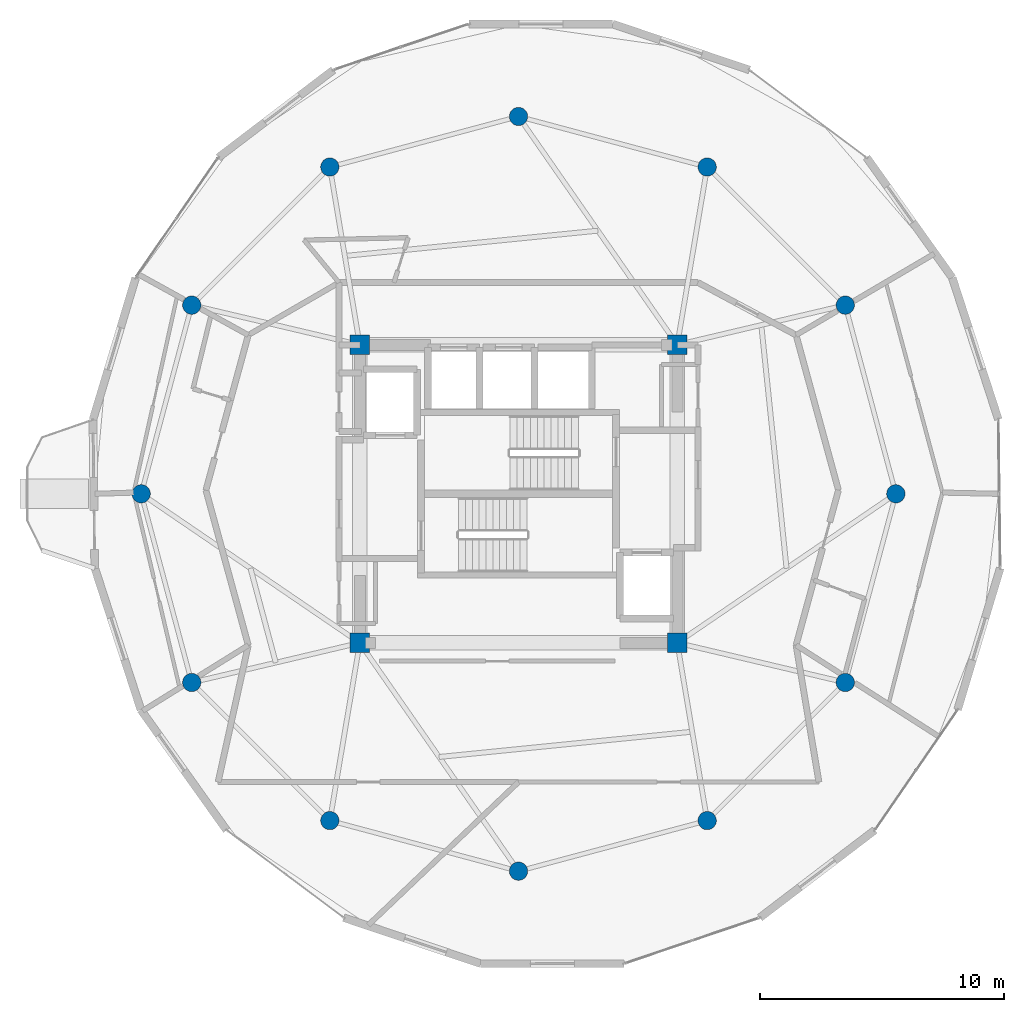
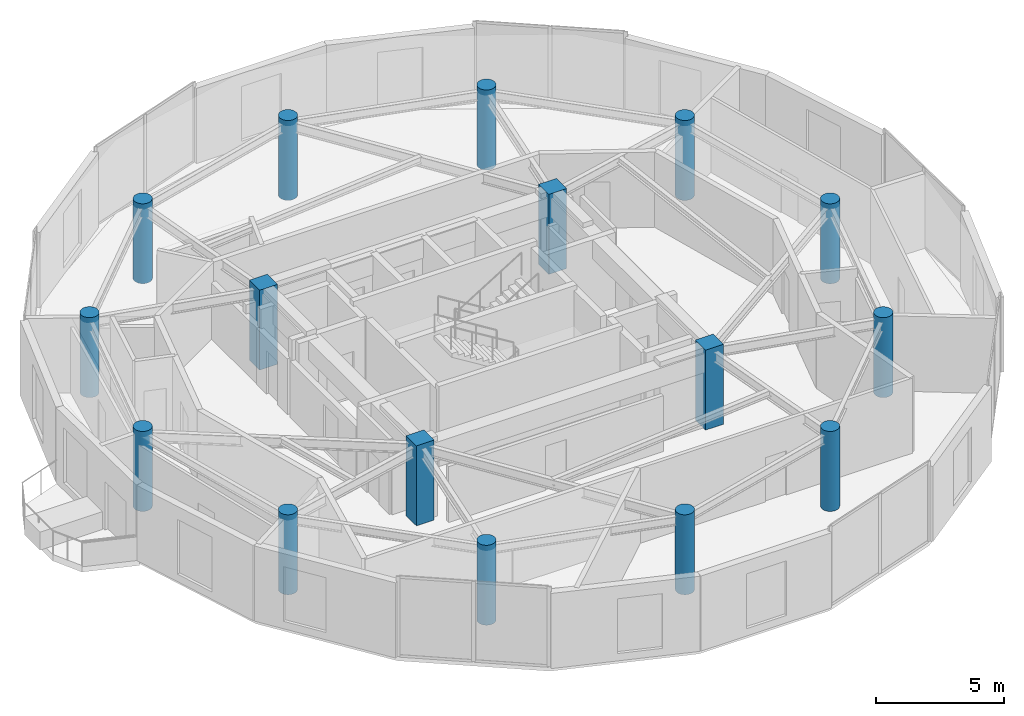
# One storey, part 1 of 18: 16 columns.
"""IFC4 building model written with IfcOpenShell, lengths in metres."""

from ifc_helpers import new_model, si_unit, direction, frame, origin, origin_2d, place, context, subcontext, project, spatial, rectangle, circle, extrude, material, material_profile, profile_set, type_object, element, save


model = new_model("IFC4")

# Units and contexts
model_context = context("Model", 3, precision=1e-05, world=origin(), true_north=direction((0.0, 1.0)))
body_context = subcontext(model_context, "Body", "Model", "MODEL_VIEW")
ifc_project = project(units=[si_unit("LENGTHUNIT", "METRE"), si_unit("AREAUNIT", "SQUARE_METRE"), si_unit("VOLUMEUNIT", "CUBIC_METRE"), si_unit("PLANEANGLEUNIT", "RADIAN"), si_unit("MASSUNIT", "GRAM", prefix="KILO")], contexts=[model_context])

# Site, building, storey
site_placement = place(None, origin())
site = spatial("IfcSite", under=ifc_project, at=site_placement, CompositionType="ELEMENT")
building_placement = place(site_placement, origin())
building = spatial("IfcBuilding", under=site, at=building_placement, Name="Solvirekh Grand Hotel", CompositionType="ELEMENT")
storey_placement = place(building_placement, frame((0.0, 0.0, 250.60009765625)))
storey = spatial("IfcBuildingStorey", under=building, at=storey_placement, Name="L65", CompositionType="ELEMENT", Elevation=250.60009765625)

# Columns
ifc_material = material(Name="Concrete C50/60", Category="concrete")
ifc_material_profile_1 = material_profile(ifc_material, rectangle(XDim=0.800048828125, YDim=0.800048828125, at=origin_2d()), Name="RC 800X800")
ifc_profile_set_1 = profile_set([ifc_material_profile_1], Name="Concrete C50/60")
column_type_1 = type_object("IfcColumnType", Name="Col_Core_800", PredefinedType="COLUMN", material=ifc_profile_set_1)
for number, where, z_axis, x_axis, name in (
    (1, (-6.5, -6.10009765625, 0.0), (0.0, 0.0, 1.0), (1.0, 0.0, 0.0), "L65 core corner column CC1"),
    (2, (6.5, -6.10009765625, 0.0), (0.0, 0.0, 1.0), (1.0, 0.0, 0.0), "L65 core corner column CC2"),
    (3, (6.5, 6.10009765625, 0.0), (0.0, 0.0, 1.0), (1.0, 0.0, 0.0), "L65 core corner column CC3"),
    (4, (-6.5, 6.10009765625, 0.0), (0.0, 0.0, 1.0), (1.0, 0.0, 0.0), "L65 core corner column CC4"),
):
    element("IfcColumn", number, at=place(storey_placement, frame(where, z_axis=z_axis, x_axis=x_axis)), inside=storey, type_object=column_type_1, Name=name, PredefinedType="COLUMN", context=body_context, shape_type="SweptSolid", body=[
        extrude(rectangle(XDim=0.800048828125, YDim=0.800048828125, at=origin_2d()), origin(), (0.0, 0.0, 1.0), 3.7998046875),
    ])
ifc_material_profile_2 = material_profile(ifc_material, circle(Radius=0.375, at=origin_2d()), Name="RC CIRC D750")
ifc_profile_set_2 = profile_set([ifc_material_profile_2], Name="Concrete C50/60")
column_type_2 = type_object("IfcColumnType", Name="Col_Z4_D750", PredefinedType="COLUMN", material=ifc_profile_set_2)
for number, where, z_axis, x_axis, name in (
    (5, (15.449951171875, 0.0, 0.0), (0.0, 0.0, 1.0), (1.0, 0.0, 0.0), "L65 perimeter column P01"),
    (6, (13.3798828125, 7.72509765625, 0.0), (0.0, 0.0, 1.0), (1.0, 0.0, 0.0), "L65 perimeter column P02"),
    (7, (7.72509765625, 13.3798828125, 0.0), (0.0, 0.0, 1.0), (1.0, 0.0, 0.0), "L65 perimeter column P03"),
    (8, (0.0, 15.449951171875, 0.0), (0.0, 0.0, 1.0), (1.0, 0.0, 0.0), "L65 perimeter column P04"),
    (9, (-7.72509765625, 13.3798828125, 0.0), (0.0, 0.0, 1.0), (1.0, 0.0, 0.0), "L65 perimeter column P05"),
    (10, (-13.3798828125, 7.72509765625, 0.0), (0.0, 0.0, 1.0), (1.0, 0.0, 0.0), "L65 perimeter column P06"),
    (11, (-15.449951171875, 0.0, 0.0), (0.0, 0.0, 1.0), (1.0, 0.0, 0.0), "L65 perimeter column P07"),
    (12, (-13.3798828125, -7.72509765625, 0.0), (0.0, 0.0, 1.0), (1.0, 0.0, 0.0), "L65 perimeter column P08"),
    (13, (-7.72509765625, -13.3798828125, 0.0), (0.0, 0.0, 1.0), (1.0, 0.0, 0.0), "L65 perimeter column P09"),
    (14, (0.0, -15.449951171875, 0.0), (0.0, 0.0, 1.0), (1.0, 0.0, 0.0), "L65 perimeter column P10"),
    (15, (7.72509765625, -13.3798828125, 0.0), (0.0, 0.0, 1.0), (1.0, 0.0, 0.0), "L65 perimeter column P11"),
    (16, (13.3798828125, -7.72509765625, 0.0), (0.0, 0.0, 1.0), (1.0, 0.0, 0.0), "L65 perimeter column P12"),
):
    element("IfcColumn", number, at=place(storey_placement, frame(where, z_axis=z_axis, x_axis=x_axis)), inside=storey, type_object=column_type_2, Name=name, PredefinedType="COLUMN", context=body_context, shape_type="SweptSolid", body=[
        extrude(circle(Radius=0.375, at=origin_2d()), origin(), (0.0, 0.0, 1.0), 3.7998046875),
    ])

save(model, "model.ifc")
